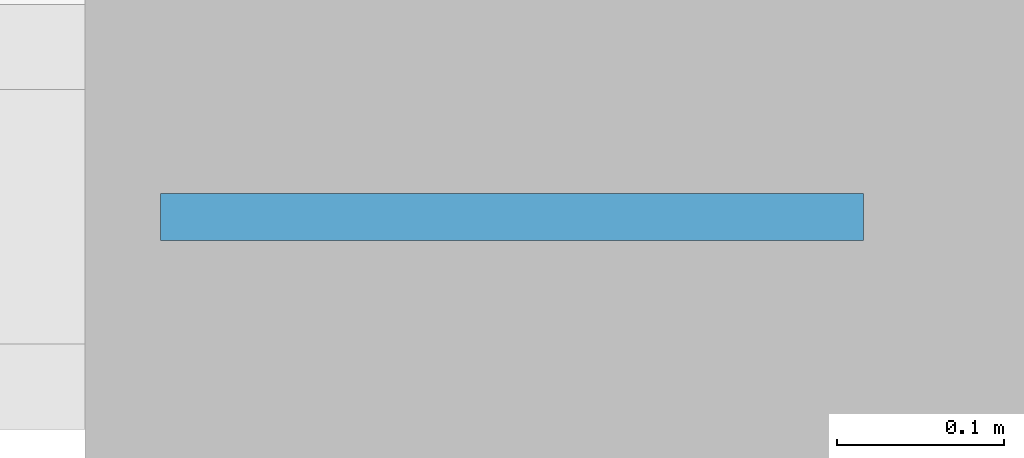
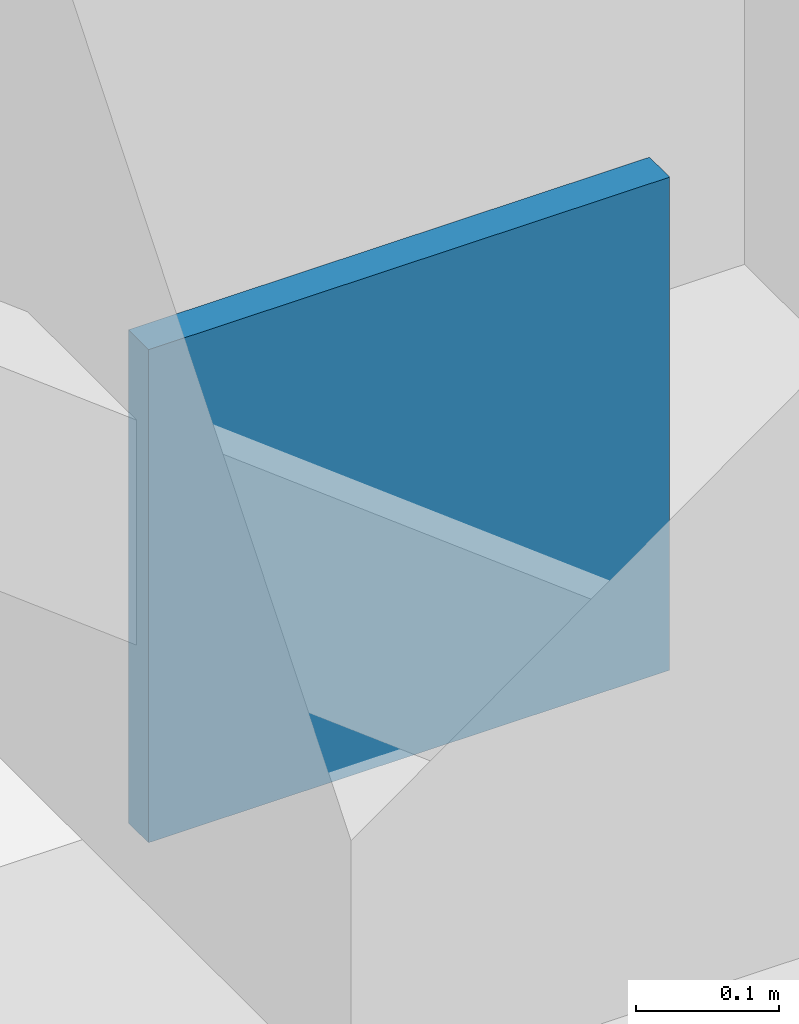
# One storey, part 50 of 86: 1 plate.
"""IFC4 building model written with IfcOpenShell, lengths in metres."""

import ifcopenshell
import ifcopenshell.guid

model = None  # the IFC model being written
_history = None  # IfcOwnerHistory: only IFC2X3 demands one
_inside = {}  # id of a spatial element -> (the spatial element, [elements in it])
_under = {}  # id of a project, library or spatial element -> (it, [spatial elements below it])
_declared = {}  # id of a project -> (the project, [libraries it declares])
_typed = {}  # id of a type object -> (the type object, [elements of that type])
_made_of = {}  # id of a material, layer set ... -> (it, [elements and type objects made of it])


def new_model(schema):
    """Start an empty IFC model of exactly this schema.

    Asked for "IFC4X3", IfcOpenShell would pick the latest addendum, in which some entities
    have other attributes; the version numbers below select the first issue.
    IFC2X3 requires an IfcOwnerHistory on every rooted entity: one is made here for all.
    """
    global model, _history
    if schema == "IFC4X3":
        model = ifcopenshell.file(schema_version=(4, 3, 0, 0))
    else:
        model = ifcopenshell.file(schema=schema)
    _inside.clear()
    _under.clear()
    _declared.clear()
    _typed.clear()
    _made_of.clear()
    _history = None
    if model.schema == "IFC2X3":
        org = make("IfcOrganization", Name="unknown")
        user = make(
            "IfcPersonAndOrganization",
            ThePerson=make("IfcPerson", FamilyName="unknown"),
            TheOrganization=org,
        )
        app = make(
            "IfcApplication",
            ApplicationDeveloper=org,
            Version="unknown",
            ApplicationFullName="unknown",
            ApplicationIdentifier="unknown",
        )
        _history = make(
            "IfcOwnerHistory",
            OwningUser=user,
            OwningApplication=app,
            ChangeAction="ADDED",
            CreationDate=0,
        )
    return model


def make(cls, **values):
    """One entity of the class cls with the attributes given. An attribute that is None is left unset."""
    return model.create_entity(
        cls, **{name: value for name, value in values.items() if value is not None}
    )


def rooted(cls, **values):
    """An entity with a GlobalId (a new one), such as an element, a storey or a relation."""
    return make(cls, GlobalId=ifcopenshell.guid.new(), OwnerHistory=_history, **values)


def si_unit(unit_type, name, prefix=None):
    """IfcSIUnit, for example si_unit("LENGTHUNIT", "METRE", prefix="MILLI")."""
    return make("IfcSIUnit", UnitType=unit_type, Prefix=prefix, Name=name)


def assignment(units):
    """IfcUnitAssignment: the units of a project."""
    return None if units is None else make("IfcUnitAssignment", Units=units)


def point(xyz):
    """IfcCartesianPoint."""
    return None if xyz is None else make("IfcCartesianPoint", Coordinates=xyz)


def direction(xyz):
    """IfcDirection."""
    return None if xyz is None else make("IfcDirection", DirectionRatios=xyz)


def frame(location, z_axis=None, x_axis=None):
    """IfcAxis2Placement3D, a coordinate frame: its origin and axes. An axis left out is left unset."""
    return make(
        "IfcAxis2Placement3D",
        Location=point(location),
        Axis=direction(z_axis),
        RefDirection=direction(x_axis),
    )


def frame_2d(location, x_axis=None):
    """IfcAxis2Placement2D, a coordinate frame in the plane: its origin and x axis."""
    return make(
        "IfcAxis2Placement2D", Location=point(location), RefDirection=direction(x_axis)
    )


def origin():
    """The frame at (0, 0, 0) with its axes left unset."""
    return frame((0.0, 0.0, 0.0))


def origin_2d():
    """The frame at (0, 0) in the plane with its x axis left unset."""
    return frame_2d((0.0, 0.0))


def place(relative_to, where):
    """IfcLocalPlacement: puts the frame where relative to a parent placement (None: the world)."""
    return make(
        "IfcLocalPlacement", PlacementRelTo=relative_to, RelativePlacement=where
    )


def context(
    kind, dimensions, precision=None, world=None, true_north=None, identifier=None
):
    """IfcGeometricRepresentationContext, for example the 3D "Model" context."""
    return make(
        "IfcGeometricRepresentationContext",
        ContextIdentifier=identifier,
        ContextType=kind,
        CoordinateSpaceDimension=dimensions,
        Precision=precision,
        WorldCoordinateSystem=world,
        TrueNorth=true_north,
    )


def subcontext(parent, identifier, kind, view, scale=None):
    """IfcGeometricRepresentationSubContext, for example "Body" below "Model"."""
    return make(
        "IfcGeometricRepresentationSubContext",
        ContextIdentifier=identifier,
        ContextType=kind,
        ParentContext=parent,
        TargetScale=scale,
        TargetView=view,
    )


def project(units=None, contexts=None):
    """IfcProject with its units and contexts."""
    return rooted(
        "IfcProject",
        Name="project",
        RepresentationContexts=contexts,
        UnitsInContext=assignment(units),
    )


def spatial(cls, under=None, at=None, **own):
    """A site, building, storey or space (cls), placed at a placement, below another one or the project."""
    s = rooted(cls, ObjectPlacement=at, **own)
    if under is not None:
        _under.setdefault(under.id(), (under, []))[1].append(s)
    return s


def profile(cls, at=None, kind="AREA", **sizes):
    """A parametric profile (cls). Its sizes go by their IFC names, for example OverallWidth=200.0."""
    return make(cls, ProfileType=kind, Position=at, **sizes)


def rectangle(**sizes):
    """IfcRectangleProfileDef."""
    return profile("IfcRectangleProfileDef", **sizes)


def extrude(swept, where, along, depth):
    """IfcExtrudedAreaSolid: the profile swept, set in the frame where, extruded along a direction by depth."""
    return make(
        "IfcExtrudedAreaSolid",
        SweptArea=swept,
        Position=where,
        ExtrudedDirection=direction(along),
        Depth=depth,
    )


def shape(context_of_items, identifier, shape_type, items):
    """IfcShapeRepresentation: the items that make up one representation, for example the "Body"."""
    return make(
        "IfcShapeRepresentation",
        ContextOfItems=context_of_items,
        RepresentationIdentifier=identifier,
        RepresentationType=shape_type,
        Items=items,
    )


def material(Name=None, Category=None):
    """IfcMaterial."""
    return make("IfcMaterial", Name=Name, Category=Category)


def layer(
    of_material, thickness, ventilated=None, Name=None, Category=None, Priority=None
):
    """IfcMaterialLayer: one layer of a wall or slab, of a material (None: an air gap)."""
    return make(
        "IfcMaterialLayer",
        Material=of_material,
        LayerThickness=thickness,
        IsVentilated=ventilated,
        Name=Name,
        Category=Category,
        Priority=Priority,
    )


def layer_set(layers, Name=None):
    """IfcMaterialLayerSet."""
    return make("IfcMaterialLayerSet", MaterialLayers=layers, LayerSetName=Name)


def made_of(thing, what):
    """Note that an element or type object is made of a material, layer set ...; save() writes the relation."""
    if what is not None:
        _made_of.setdefault(what.id(), (what, []))[1].append(thing)
    return thing


def type_object(cls, material=None, **own):
    """A type object (cls), such as IfcWallType, which elements share."""
    return made_of(rooted(cls, **own), material)


def element(
    cls,
    number,
    at=None,
    inside=None,
    cuts=None,
    type_object=None,
    material=None,
    context=None,
    identifier="Body",
    shape_type=None,
    held_by="IfcProductDefinitionShape",
    body=None,
    shapes=None,
    **own,
):
    """One element of the class cls, such as IfcWall. Its Tag is "e" and its number.

    at: its placement. inside: the storey or other place that contains it. cuts: it is an
    opening in that element (IfcRelVoidsElement). A single representation is given by context,
    identifier, shape_type and body (its items); several are given by shapes. held_by: the class
    of the entity that holds the representations. save() writes the other relations.
    """
    e = rooted(cls, Tag="e%d" % number, ObjectPlacement=at, **own)
    if body is not None:
        shapes = [shape(context, identifier, shape_type, body)]
    if shapes is not None:
        e.Representation = make(held_by, Representations=shapes)
    if inside is not None:
        _inside.setdefault(inside.id(), (inside, []))[1].append(e)
    if cuts is not None:
        rooted(
            "IfcRelVoidsElement", RelatingBuildingElement=cuts, RelatedOpeningElement=e
        )
    if type_object is not None:
        _typed.setdefault(type_object.id(), (type_object, []))[1].append(e)
    return made_of(e, material)


def aggregate(whole, parts):
    """IfcRelAggregates: a whole, such as a stair, and the parts it consists of."""
    return rooted("IfcRelAggregates", RelatingObject=whole, RelatedObjects=parts)


def save(model, path):
    """Write the relations noted so far, then the file.

    IfcRelAggregates (storeys below a building ...), IfcRelContainedInSpatialStructure (elements
    in a storey), IfcRelDefinesByType, IfcRelAssociatesMaterial and IfcRelDeclares: one each for
    every whole, place, type object, material and project.
    """
    for whole, parts in _under.values():
        aggregate(whole, parts)
    for where, things in _inside.values():
        rooted(
            "IfcRelContainedInSpatialStructure",
            RelatedElements=things,
            RelatingStructure=where,
        )
    for kind, things in _typed.values():
        rooted("IfcRelDefinesByType", RelatedObjects=things, RelatingType=kind)
    for what, things in _made_of.values():
        rooted("IfcRelAssociatesMaterial", RelatedObjects=things, RelatingMaterial=what)
    for by, libraries in _declared.values():
        rooted("IfcRelDeclares", RelatingContext=by, RelatedDefinitions=libraries)
    model.write(path)


model = new_model("IFC4")

# Units and contexts
model_context = context("Model", 3, precision=1e-05, world=origin(), true_north=direction((0.0, 1.0)))
body_context = subcontext(model_context, "Body", "Model", "MODEL_VIEW")
ifc_project = project(units=[si_unit("LENGTHUNIT", "METRE"), si_unit("AREAUNIT", "SQUARE_METRE"), si_unit("VOLUMEUNIT", "CUBIC_METRE"), si_unit("PLANEANGLEUNIT", "RADIAN"), si_unit("MASSUNIT", "GRAM", prefix="KILO")], contexts=[model_context])

# Site, building, storey
site_placement = place(None, origin())
site = spatial("IfcSite", under=ifc_project, at=site_placement, CompositionType="ELEMENT")
building_placement = place(site_placement, origin())
building = spatial("IfcBuilding", under=site, at=building_placement, Name="Oolite Switchyard Hospital", CompositionType="ELEMENT")
storey_placement = place(building_placement, frame((0.0, 0.0, 13.5)))
storey = spatial("IfcBuildingStorey", under=building, at=storey_placement, Name="L03", CompositionType="ELEMENT", Elevation=13.5)

# Plate
ifc_material = material(Name="Steel ASTM A572 Grade 50", Category="steel")
ifc_layer = layer(ifc_material, 0.028076171875)
ifc_layer_set = layer_set([ifc_layer], Name="PLT-GUS-420")
plate_type = type_object("IfcPlateType", Name="PLT-GUS-420", PredefinedType="SHEET", material=ifc_layer_set)
plate_placement = place(storey_placement, frame((163.080078125, 8.39990234375, -0.010009765625), z_axis=(0.0, 0.0, 1.0), x_axis=(1.0, 0.0, 0.0)))
element("IfcPlate", 1, at=plate_placement, inside=storey, type_object=plate_type, Name="L03 Brace Base Gusset Plate 101", PredefinedType="SHEET", context=body_context, shape_type="SweptSolid", body=[
    extrude(rectangle(XDim=0.419921875, YDim=0.028076171875, at=origin_2d()), origin(), (0.0, 0.0, 1.0), 0.419921875),
])

save(model, "model.ifc")
